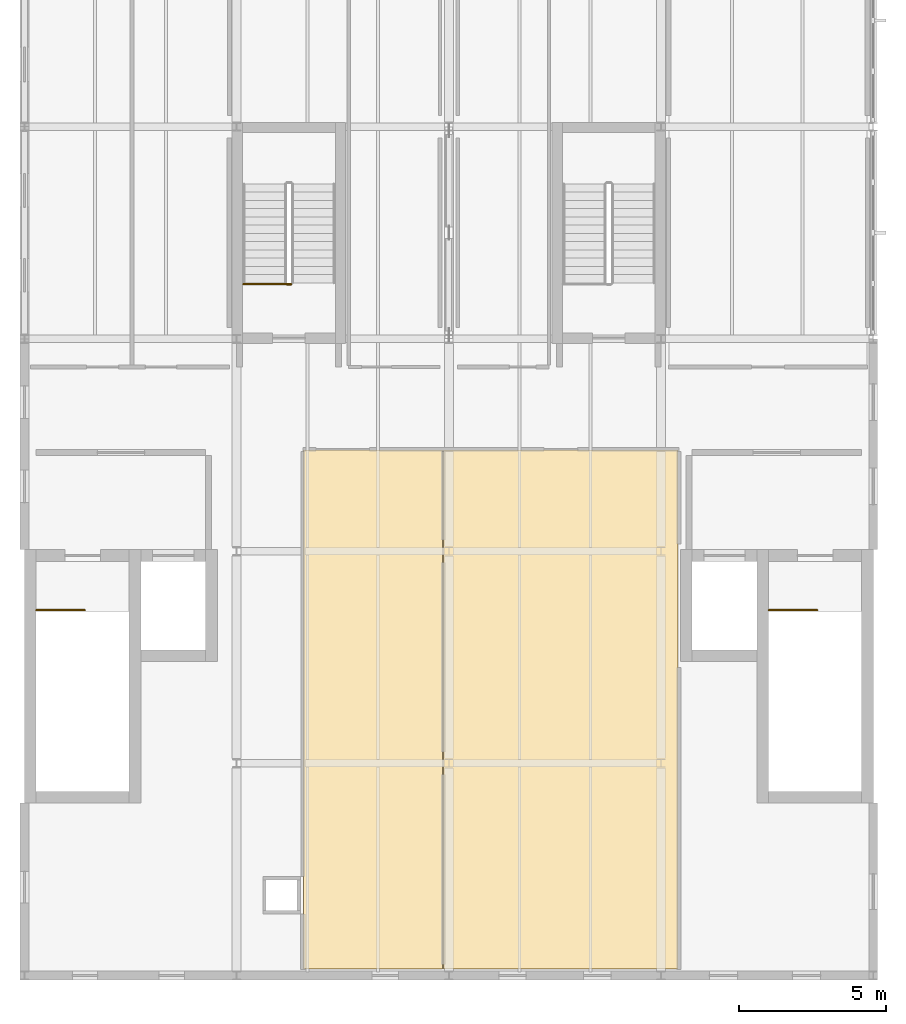
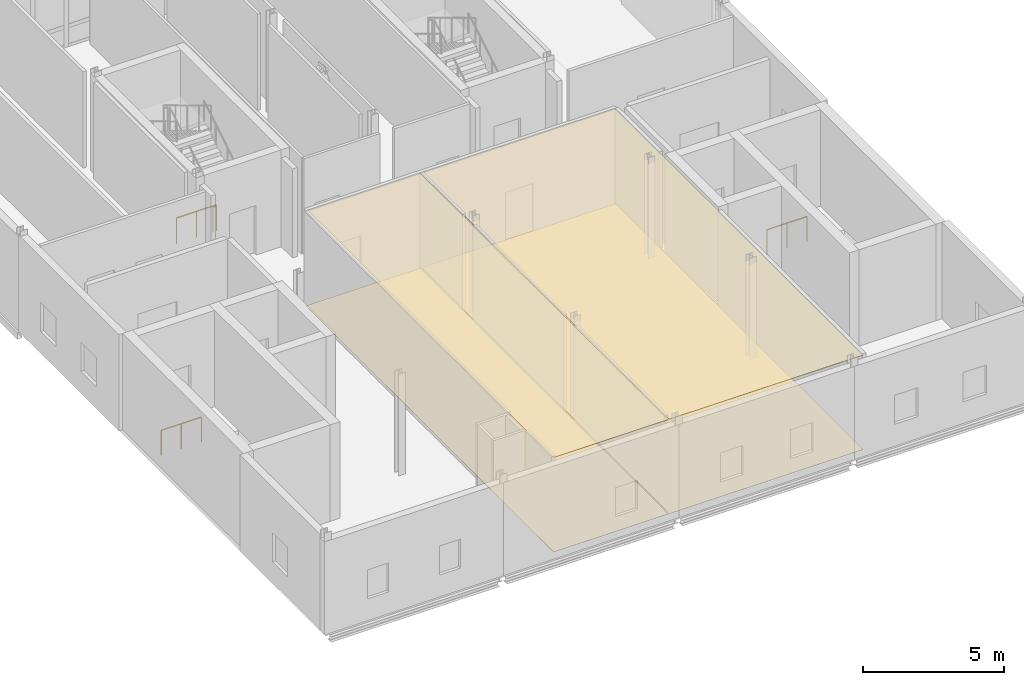
# One storey, part 10 of 12: 4 coverings, 4 railings.
"""IFC4 building model written with IfcOpenShell, lengths in metres."""

import ifcopenshell
import ifcopenshell.guid

model = None  # the IFC model being written
_history = None  # IfcOwnerHistory: only IFC2X3 demands one
_inside = {}  # id of a spatial element -> (the spatial element, [elements in it])
_under = {}  # id of a project, library or spatial element -> (it, [spatial elements below it])
_declared = {}  # id of a project -> (the project, [libraries it declares])
_typed = {}  # id of a type object -> (the type object, [elements of that type])
_made_of = {}  # id of a material, layer set ... -> (it, [elements and type objects made of it])


def new_model(schema):
    """Start an empty IFC model of exactly this schema.

    Asked for "IFC4X3", IfcOpenShell would pick the latest addendum, in which some entities
    have other attributes; the version numbers below select the first issue.
    IFC2X3 requires an IfcOwnerHistory on every rooted entity: one is made here for all.
    """
    global model, _history
    if schema == "IFC4X3":
        model = ifcopenshell.file(schema_version=(4, 3, 0, 0))
    else:
        model = ifcopenshell.file(schema=schema)
    _inside.clear()
    _under.clear()
    _declared.clear()
    _typed.clear()
    _made_of.clear()
    _history = None
    if model.schema == "IFC2X3":
        org = make("IfcOrganization", Name="unknown")
        user = make(
            "IfcPersonAndOrganization",
            ThePerson=make("IfcPerson", FamilyName="unknown"),
            TheOrganization=org,
        )
        app = make(
            "IfcApplication",
            ApplicationDeveloper=org,
            Version="unknown",
            ApplicationFullName="unknown",
            ApplicationIdentifier="unknown",
        )
        _history = make(
            "IfcOwnerHistory",
            OwningUser=user,
            OwningApplication=app,
            ChangeAction="ADDED",
            CreationDate=0,
        )
    return model


def make(cls, **values):
    """One entity of the class cls with the attributes given. An attribute that is None is left unset."""
    return model.create_entity(
        cls, **{name: value for name, value in values.items() if value is not None}
    )


def rooted(cls, **values):
    """An entity with a GlobalId (a new one), such as an element, a storey or a relation."""
    return make(cls, GlobalId=ifcopenshell.guid.new(), OwnerHistory=_history, **values)


def si_unit(unit_type, name, prefix=None):
    """IfcSIUnit, for example si_unit("LENGTHUNIT", "METRE", prefix="MILLI")."""
    return make("IfcSIUnit", UnitType=unit_type, Prefix=prefix, Name=name)


def assignment(units):
    """IfcUnitAssignment: the units of a project."""
    return None if units is None else make("IfcUnitAssignment", Units=units)


def point(xyz):
    """IfcCartesianPoint."""
    return None if xyz is None else make("IfcCartesianPoint", Coordinates=xyz)


def direction(xyz):
    """IfcDirection."""
    return None if xyz is None else make("IfcDirection", DirectionRatios=xyz)


def frame(location, z_axis=None, x_axis=None):
    """IfcAxis2Placement3D, a coordinate frame: its origin and axes. An axis left out is left unset."""
    return make(
        "IfcAxis2Placement3D",
        Location=point(location),
        Axis=direction(z_axis),
        RefDirection=direction(x_axis),
    )


def frame_2d(location, x_axis=None):
    """IfcAxis2Placement2D, a coordinate frame in the plane: its origin and x axis."""
    return make(
        "IfcAxis2Placement2D", Location=point(location), RefDirection=direction(x_axis)
    )


def origin():
    """The frame at (0, 0, 0) with its axes left unset."""
    return frame((0.0, 0.0, 0.0))


def origin_2d():
    """The frame at (0, 0) in the plane with its x axis left unset."""
    return frame_2d((0.0, 0.0))


def place(relative_to, where):
    """IfcLocalPlacement: puts the frame where relative to a parent placement (None: the world)."""
    return make(
        "IfcLocalPlacement", PlacementRelTo=relative_to, RelativePlacement=where
    )


def context(
    kind, dimensions, precision=None, world=None, true_north=None, identifier=None
):
    """IfcGeometricRepresentationContext, for example the 3D "Model" context."""
    return make(
        "IfcGeometricRepresentationContext",
        ContextIdentifier=identifier,
        ContextType=kind,
        CoordinateSpaceDimension=dimensions,
        Precision=precision,
        WorldCoordinateSystem=world,
        TrueNorth=true_north,
    )


def subcontext(parent, identifier, kind, view, scale=None):
    """IfcGeometricRepresentationSubContext, for example "Body" below "Model"."""
    return make(
        "IfcGeometricRepresentationSubContext",
        ContextIdentifier=identifier,
        ContextType=kind,
        ParentContext=parent,
        TargetScale=scale,
        TargetView=view,
    )


def project(units=None, contexts=None):
    """IfcProject with its units and contexts."""
    return rooted(
        "IfcProject",
        Name="project",
        RepresentationContexts=contexts,
        UnitsInContext=assignment(units),
    )


def spatial(cls, under=None, at=None, **own):
    """A site, building, storey or space (cls), placed at a placement, below another one or the project."""
    s = rooted(cls, ObjectPlacement=at, **own)
    if under is not None:
        _under.setdefault(under.id(), (under, []))[1].append(s)
    return s


def polyline(points):
    """IfcPolyline through the points."""
    return make("IfcPolyline", Points=[point(p) for p in points])


def profile(cls, at=None, kind="AREA", **sizes):
    """A parametric profile (cls). Its sizes go by their IFC names, for example OverallWidth=200.0."""
    return make(cls, ProfileType=kind, Position=at, **sizes)


def circle(**sizes):
    """IfcCircleProfileDef."""
    return profile("IfcCircleProfileDef", **sizes)


def outline(outer, holes=None, kind="AREA"):
    """IfcArbitraryClosedProfileDef: a profile drawn as a closed curve; with holes, ...WithVoids."""
    if holes is None:
        return make("IfcArbitraryClosedProfileDef", ProfileType=kind, OuterCurve=outer)
    return make(
        "IfcArbitraryProfileDefWithVoids",
        ProfileType=kind,
        OuterCurve=outer,
        InnerCurves=holes,
    )


def extrude(swept, where, along, depth):
    """IfcExtrudedAreaSolid: the profile swept, set in the frame where, extruded along a direction by depth."""
    return make(
        "IfcExtrudedAreaSolid",
        SweptArea=swept,
        Position=where,
        ExtrudedDirection=direction(along),
        Depth=depth,
    )


def shape(context_of_items, identifier, shape_type, items):
    """IfcShapeRepresentation: the items that make up one representation, for example the "Body"."""
    return make(
        "IfcShapeRepresentation",
        ContextOfItems=context_of_items,
        RepresentationIdentifier=identifier,
        RepresentationType=shape_type,
        Items=items,
    )


def material(Name=None, Category=None):
    """IfcMaterial."""
    return make("IfcMaterial", Name=Name, Category=Category)


def layer(
    of_material, thickness, ventilated=None, Name=None, Category=None, Priority=None
):
    """IfcMaterialLayer: one layer of a wall or slab, of a material (None: an air gap)."""
    return make(
        "IfcMaterialLayer",
        Material=of_material,
        LayerThickness=thickness,
        IsVentilated=ventilated,
        Name=Name,
        Category=Category,
        Priority=Priority,
    )


def layer_set(layers, Name=None):
    """IfcMaterialLayerSet."""
    return make("IfcMaterialLayerSet", MaterialLayers=layers, LayerSetName=Name)


def made_of(thing, what):
    """Note that an element or type object is made of a material, layer set ...; save() writes the relation."""
    if what is not None:
        _made_of.setdefault(what.id(), (what, []))[1].append(thing)
    return thing


def type_object(cls, material=None, **own):
    """A type object (cls), such as IfcWallType, which elements share."""
    return made_of(rooted(cls, **own), material)


def element(
    cls,
    number,
    at=None,
    inside=None,
    cuts=None,
    type_object=None,
    material=None,
    context=None,
    identifier="Body",
    shape_type=None,
    held_by="IfcProductDefinitionShape",
    body=None,
    shapes=None,
    **own,
):
    """One element of the class cls, such as IfcWall. Its Tag is "e" and its number.

    at: its placement. inside: the storey or other place that contains it. cuts: it is an
    opening in that element (IfcRelVoidsElement). A single representation is given by context,
    identifier, shape_type and body (its items); several are given by shapes. held_by: the class
    of the entity that holds the representations. save() writes the other relations.
    """
    e = rooted(cls, Tag="e%d" % number, ObjectPlacement=at, **own)
    if body is not None:
        shapes = [shape(context, identifier, shape_type, body)]
    if shapes is not None:
        e.Representation = make(held_by, Representations=shapes)
    if inside is not None:
        _inside.setdefault(inside.id(), (inside, []))[1].append(e)
    if cuts is not None:
        rooted(
            "IfcRelVoidsElement", RelatingBuildingElement=cuts, RelatedOpeningElement=e
        )
    if type_object is not None:
        _typed.setdefault(type_object.id(), (type_object, []))[1].append(e)
    return made_of(e, material)


def aggregate(whole, parts):
    """IfcRelAggregates: a whole, such as a stair, and the parts it consists of."""
    return rooted("IfcRelAggregates", RelatingObject=whole, RelatedObjects=parts)


def save(model, path):
    """Write the relations noted so far, then the file.

    IfcRelAggregates (storeys below a building ...), IfcRelContainedInSpatialStructure (elements
    in a storey), IfcRelDefinesByType, IfcRelAssociatesMaterial and IfcRelDeclares: one each for
    every whole, place, type object, material and project.
    """
    for whole, parts in _under.values():
        aggregate(whole, parts)
    for where, things in _inside.values():
        rooted(
            "IfcRelContainedInSpatialStructure",
            RelatedElements=things,
            RelatingStructure=where,
        )
    for kind, things in _typed.values():
        rooted("IfcRelDefinesByType", RelatedObjects=things, RelatingType=kind)
    for what, things in _made_of.values():
        rooted("IfcRelAssociatesMaterial", RelatedObjects=things, RelatingMaterial=what)
    for by, libraries in _declared.values():
        rooted("IfcRelDeclares", RelatingContext=by, RelatedDefinitions=libraries)
    model.write(path)


model = new_model("IFC4")

# Units and contexts
model_context = context("Model", 3, precision=1e-05, world=origin(), true_north=direction((0.0, 1.0)))
body_context = subcontext(model_context, "Body", "Model", "MODEL_VIEW")
ifc_project = project(units=[si_unit("LENGTHUNIT", "METRE"), si_unit("AREAUNIT", "SQUARE_METRE"), si_unit("VOLUMEUNIT", "CUBIC_METRE"), si_unit("PLANEANGLEUNIT", "RADIAN"), si_unit("MASSUNIT", "GRAM", prefix="KILO")], contexts=[model_context])

# Site, building, storey
site_placement = place(None, origin())
site = spatial("IfcSite", under=ifc_project, at=site_placement, CompositionType="ELEMENT")
building_placement = place(site_placement, origin())
building = spatial("IfcBuilding", under=site, at=building_placement, Name="Zarrinpeak Specialist Clinic", CompositionType="ELEMENT")
storey_placement = place(building_placement, frame((0.0, 0.0, 27.199951171875)))
storey = spatial("IfcBuildingStorey", under=building, at=storey_placement, Name="L06", CompositionType="ELEMENT", Elevation=27.199951171875)

# Coverings
ifc_material_1 = material(Name="Hygienic Acoustic Mineral Fibre Tile")
ifc_layer_1 = layer(ifc_material_1, 0.02490234375)
ifc_layer_set_1 = layer_set([ifc_layer_1], Name="Hygienic Acoustic Mineral Fibre Tile")
covering_type_1 = type_object("IfcCoveringType", Name="CV-CEIL-AC", PredefinedType="CEILING", material=ifc_layer_set_1)
covering_1_placement = place(storey_placement, frame((0.0, 0.0, 4.0849609375)))
element("IfcCovering", 1, at=covering_1_placement, inside=storey, type_object=covering_type_1, Name="L06 Multidisciplinary Case Review Room Hygienic Acoustic Ceiling", PredefinedType="CEILING", context=body_context, shape_type="SweptSolid", body=[
    extrude(outline(polyline([(9.469970703125, 0.219970703125), (14.179931640625, 0.219970703125), (14.179931640625, 17.830078125), (9.469970703125, 17.830078125), (9.469970703125, 0.219970703125)])), origin(), (0.0, 0.0, 1.0), 0.025146484375),
])
covering_2_placement = place(storey_placement, frame((0.0, 0.0, 4.0849609375)))
element("IfcCovering", 2, at=covering_2_placement, inside=storey, type_object=covering_type_1, Name="L06 Specialist Consultation Room 2 Hygienic Acoustic Ceiling", PredefinedType="CEILING", context=body_context, shape_type="SweptSolid", body=[
    extrude(outline(polyline([(14.219970703125, 0.219970703125), (22.179931640625, 0.219970703125), (22.179931640625, 17.830078125), (14.219970703125, 17.830078125), (14.219970703125, 0.219970703125)])), origin(), (0.0, 0.0, 1.0), 0.025146484375),
])
ifc_material_2 = material(Name="Homogeneous Antimicrobial Clinical Vinyl")
ifc_layer_2 = layer(ifc_material_2, 0.008056640625)
ifc_layer_set_2 = layer_set([ifc_layer_2], Name="Homogeneous Antimicrobial Clinical Vinyl")
covering_type_2 = type_object("IfcCoveringType", Name="CV-FLR-VN", PredefinedType="FLOORING", material=ifc_layer_set_2)
covering_3_placement = place(storey_placement, frame((0.0, 0.0, 0.0009765625)))
element("IfcCovering", 3, at=covering_3_placement, inside=storey, type_object=covering_type_2, Name="L06 Multidisciplinary Case Review Room Antimicrobial Vinyl Flooring", PredefinedType="FLOORING", context=body_context, shape_type="SweptSolid", body=[
    extrude(outline(polyline([(9.469970703125, 0.219970703125), (14.179931640625, 0.219970703125), (14.179931640625, 17.830078125), (9.469970703125, 17.830078125), (9.469970703125, 0.219970703125)])), origin(), (0.0, 0.0, 1.0), 0.008056640625),
])
covering_4_placement = place(storey_placement, frame((0.0, 0.0, 0.0009765625)))
element("IfcCovering", 4, at=covering_4_placement, inside=storey, type_object=covering_type_2, Name="L06 Specialist Consultation Room 2 Antimicrobial Vinyl Flooring", PredefinedType="FLOORING", context=body_context, shape_type="SweptSolid", body=[
    extrude(outline(polyline([(14.219970703125, 0.219970703125), (22.179931640625, 0.219970703125), (22.179931640625, 17.830078125), (14.219970703125, 17.830078125), (14.219970703125, 0.219970703125)])), origin(), (0.0, 0.0, 1.0), 0.008056640625),
])

# Railings
ifc_material_3 = material(Name="Laminated Safety Glass and Stainless Steel 316", Category="steel")
ifc_layer_3 = layer(ifc_material_3, 0.06005859375)
ifc_layer_set_3 = layer_set([ifc_layer_3], Name="Laminated Safety Glass and Stainless Steel 316")
railing_type = type_object("IfcRailingType", Name="RL-GRD115", PredefinedType="GUARDRAIL", material=ifc_layer_set_3)
railing_1_placement = place(storey_placement, frame((0.39990234375, 12.39990234375, 0.0)))
element("IfcRailing", 5, at=railing_1_placement, inside=storey, type_object=railing_type, Name="L06 ST-01 top well guard 1", PredefinedType="GUARDRAIL", context=body_context, shape_type="SweptSolid", body=[
    extrude(circle(Radius=0.02392578125, at=origin_2d()), frame((0.0, 0.0, 1.076171875), z_axis=(1.0, 0.0, 0.0), x_axis=(0.0, 1.0, 0.0)), (0.0, 0.0, 1.0), 1.650146484375),
    extrude(circle(Radius=0.02099609375, at=origin_2d()), origin(), (0.0, 0.0, 1.0), 1.052001953125),
    extrude(circle(Radius=0.02099609375, at=origin_2d()), frame((0.8251953125, 0.0, 0.0)), (0.0, 0.0, 1.0), 1.052001953125),
    extrude(circle(Radius=0.02099609375, at=origin_2d()), frame((1.650146484375, 0.0, 0.0)), (0.0, 0.0, 1.0), 1.052001953125),
])
railing_2_placement = place(storey_placement, frame((25.25, 12.39990234375, 0.0)))
element("IfcRailing", 6, at=railing_2_placement, inside=storey, type_object=railing_type, Name="L06 ST-02 top well guard 1", PredefinedType="GUARDRAIL", context=body_context, shape_type="SweptSolid", body=[
    extrude(circle(Radius=0.02392578125, at=origin_2d()), frame((0.0, 0.0, 1.076171875), z_axis=(1.0, 0.0, 0.0), x_axis=(0.0, 1.0, 0.0)), (0.0, 0.0, 1.0), 1.64990234375),
    extrude(circle(Radius=0.02099609375, at=origin_2d()), origin(), (0.0, 0.0, 1.0), 1.052001953125),
    extrude(circle(Radius=0.02099609375, at=origin_2d()), frame((0.824951171875, 0.0, 0.0)), (0.0, 0.0, 1.0), 1.052001953125),
    extrude(circle(Radius=0.02099609375, at=origin_2d()), frame((1.64990234375, 0.0, 0.0)), (0.0, 0.0, 1.0), 1.052001953125),
])
railing_3_placement = place(storey_placement, frame((7.419921875, 23.4599609375, 0.0)))
element("IfcRailing", 7, at=railing_3_placement, inside=storey, type_object=railing_type, Name="L06 Attic Stair ST-13 Floor Edge Guardrail", PredefinedType="GUARDRAIL", context=body_context, shape_type="SweptSolid", body=[
    extrude(circle(Radius=0.02392578125, at=origin_2d()), frame((0.0, 0.0, 1.1259765625), z_axis=(1.0, 0.0, 0.0), x_axis=(0.0, 1.0, 0.0)), (0.0, 0.0, 1.0), 1.630126953125),
    extrude(circle(Radius=0.02099609375, at=origin_2d()), origin(), (0.0, 0.0, 1.0), 1.101806640625),
    extrude(circle(Radius=0.02099609375, at=origin_2d()), frame((0.81494140625, 0.0, 0.0)), (0.0, 0.0, 1.0), 1.101806640625),
    extrude(circle(Radius=0.02099609375, at=origin_2d()), frame((1.630126953125, 0.0, 0.0)), (0.0, 0.0, 1.0), 1.101806640625),
])
railing_4_placement = place(storey_placement, frame((9.050048828125, 23.449951171875, 0.0)))
element("IfcRailing", 8, at=railing_4_placement, inside=storey, type_object=railing_type, Name="L06 ST-13 stair guard 4", PredefinedType="GUARDRAIL", context=body_context, shape_type="SweptSolid", body=[
    extrude(circle(Radius=0.02392578125, at=origin_2d()), frame((0.0, 0.0, 1.076171875), z_axis=(-1.0, 0.0, 0.0), x_axis=(0.0, -1.0, 0.0)), (0.0, 0.0, 1.0), 0.150146484375),
    extrude(circle(Radius=0.02099609375, at=origin_2d()), origin(), (0.0, 0.0, 1.0), 1.052001953125),
    extrude(circle(Radius=0.02099609375, at=origin_2d()), frame((-0.150146484375, 0.0, 0.0)), (0.0, 0.0, 1.0), 1.052001953125),
])

save(model, "model.ifc")
